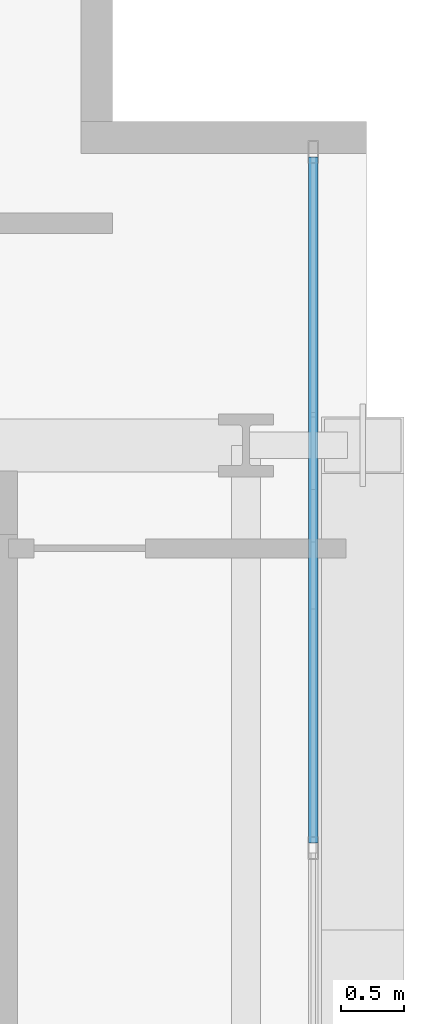
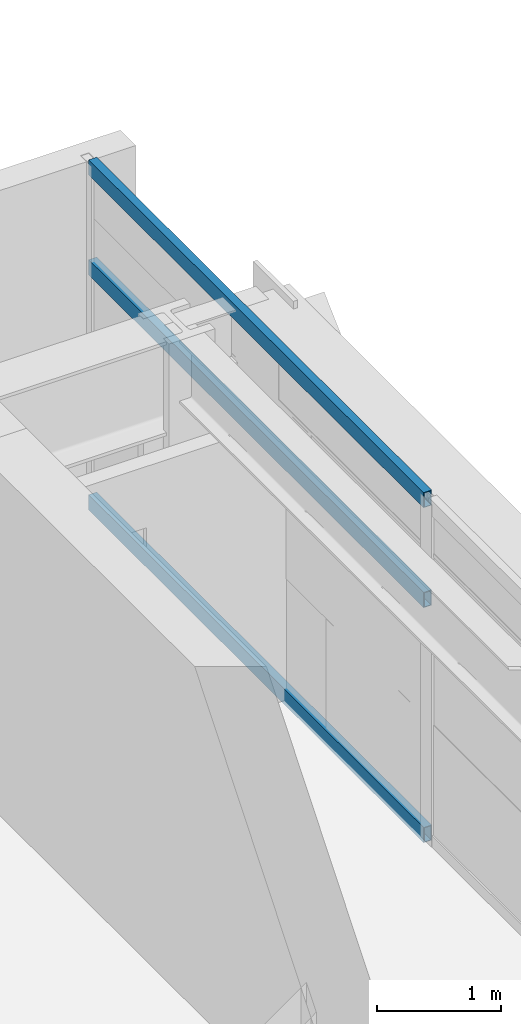
# One storey, part 19 of 37: 3 members, 1 element without a shape of its own.
"""IFC4 building model written with IfcOpenShell, lengths in metres."""

from ifc_helpers import new_model, si_unit, direction, frame, origin, origin_2d, place, context, subcontext, project, spatial, hollow_rectangle, extrude, source, transform, mapped, material, layer, layer_set, material_profile, profile_set, type_object, element, aggregate, save


model = new_model("IFC4")

# Units and contexts
model_context = context("Model", 3, precision=1e-05, world=origin(), true_north=direction((0.0, 1.0)))
body_context = subcontext(model_context, "Body", "Model", "MODEL_VIEW")
ifc_project = project(units=[si_unit("LENGTHUNIT", "METRE"), si_unit("AREAUNIT", "SQUARE_METRE"), si_unit("VOLUMEUNIT", "CUBIC_METRE"), si_unit("PLANEANGLEUNIT", "RADIAN"), si_unit("MASSUNIT", "GRAM", prefix="KILO")], contexts=[model_context])

# Site, building, storey
site_placement = place(None, origin())
site = spatial("IfcSite", under=ifc_project, at=site_placement, CompositionType="ELEMENT")
building_placement = place(site_placement, origin())
building = spatial("IfcBuilding", under=site, at=building_placement, Name="Ocotamira Hotel", CompositionType="ELEMENT")
storey_placement = place(building_placement, frame((0.0, 0.0, 192.0)))
storey = spatial("IfcBuildingStorey", under=building, at=storey_placement, Name="L48", CompositionType="ELEMENT", Elevation=192.0)

# Curtain wall, members
ifc_material_1 = material(Name="Anodised pale-metal aluminium and solar glass", Category="aluminium")
ifc_layer = layer(ifc_material_1, 0.199951171875)
ifc_layer_set = layer_set([ifc_layer], Name="Anodised pale-metal aluminium and solar glass")
curtain_wall_type = type_object("IfcCurtainWallType", Name="CW-SYS4-Z3", PredefinedType="NOTDEFINED", material=ifc_layer_set)
curtain_wall_placement = place(storey_placement, origin())
curtain_wall = element("IfcCurtainWall", 1, at=curtain_wall_placement, inside=storey, type_object=curtain_wall_type, Name="L48 Curtain Wall CW-4 CW-L48-E", PredefinedType="NOTDEFINED")
ifc_material_2 = material(Name="Anodised pale-metal aluminium 6063-T6", Category="aluminium")
ifc_material_profile = material_profile(ifc_material_2, hollow_rectangle(XDim=0.074951171875, YDim=0.14990234375, WallThickness=0.006103515625, at=origin_2d()), Name="HSS150X75X6")
ifc_profile_set = profile_set([ifc_material_profile], Name="Anodised pale-metal aluminium 6063-T6")
member_type = type_object("IfcMemberType", Name="CWT-150X75", PredefinedType="USERDEFINED", material=ifc_profile_set)
shared_shape = source(origin(), body_context, "Body", "SweptSolid", [
    extrude(hollow_rectangle(XDim=0.074951171875, YDim=0.14990234375, WallThickness=0.006103515625, at=origin_2d()), origin(), (0.0, 0.0, 1.0), 5.39990234375),
])
member_1_placement = place(storey_placement, frame((55.580078125, 34.320068359375, 0.03759765625), z_axis=(0.0, 1.0, 0.0), x_axis=(-1.0, 0.0, 0.0)))
member_1 = element("IfcMember", 2, at=member_1_placement, type_object=member_type, Name="CW-4 transom 5.1", ObjectType="TRANSOM", PredefinedType="USERDEFINED", context=body_context, shape_type="MappedRepresentation", body=[
    mapped(shared_shape, transform((0.0, 0.0, 0.0), scale=1.0)),
])
member_2_placement = place(storey_placement, frame((55.580078125, 34.320068359375, 2.35009765625), z_axis=(0.0, 1.0, 0.0), x_axis=(-1.0, 0.0, 0.0)))
member_2 = element("IfcMember", 3, at=member_2_placement, type_object=member_type, Name="CW-4 transom 5.2", ObjectType="TRANSOM", PredefinedType="USERDEFINED", context=body_context, shape_type="MappedRepresentation", body=[
    mapped(shared_shape, transform((0.0, 0.0, 0.0), scale=1.0)),
])
member_3_placement = place(storey_placement, frame((55.580078125, 34.320068359375, 3.33251953125), z_axis=(0.0, 1.0, 0.0), x_axis=(-1.0, 0.0, 0.0)))
member_3 = element("IfcMember", 4, at=member_3_placement, type_object=member_type, Name="CW-4 transom 5.3", ObjectType="TRANSOM", PredefinedType="USERDEFINED", context=body_context, shape_type="MappedRepresentation", body=[
    mapped(shared_shape, transform((0.0, 0.0, 0.0), scale=1.0)),
])
aggregate(curtain_wall, [member_1, member_2, member_3])

save(model, "model.ifc")
